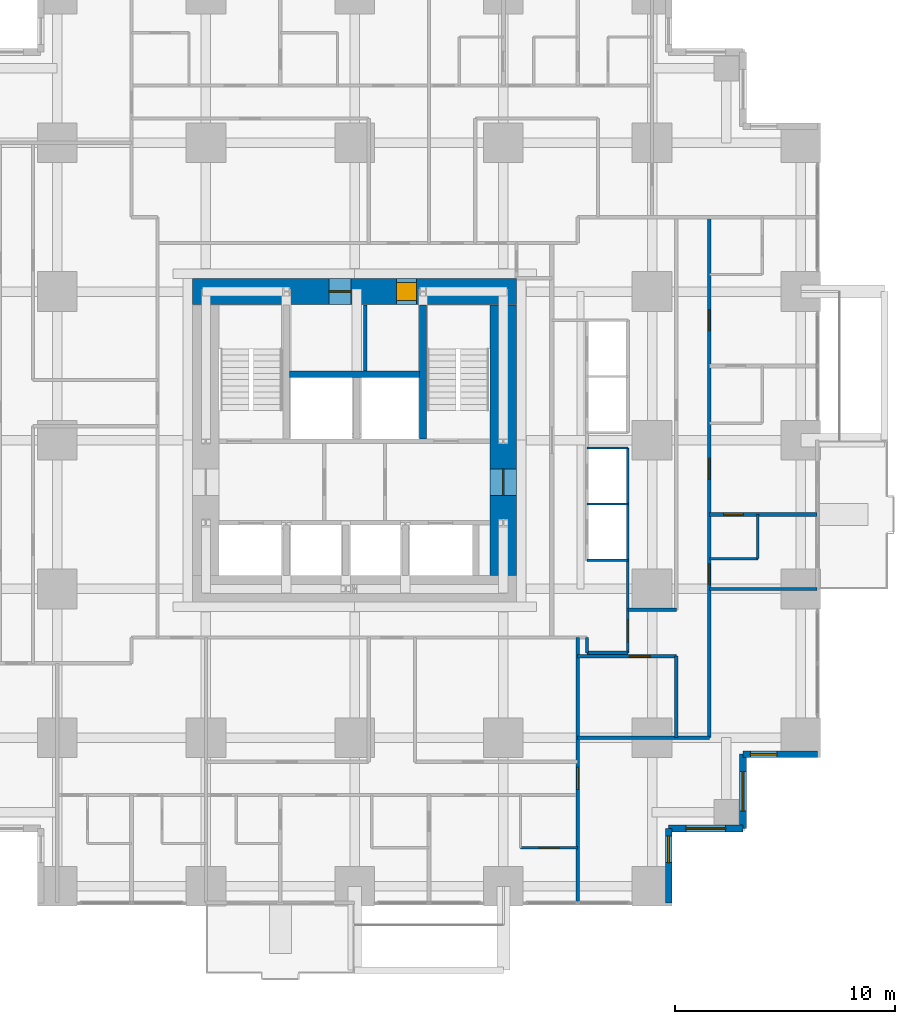
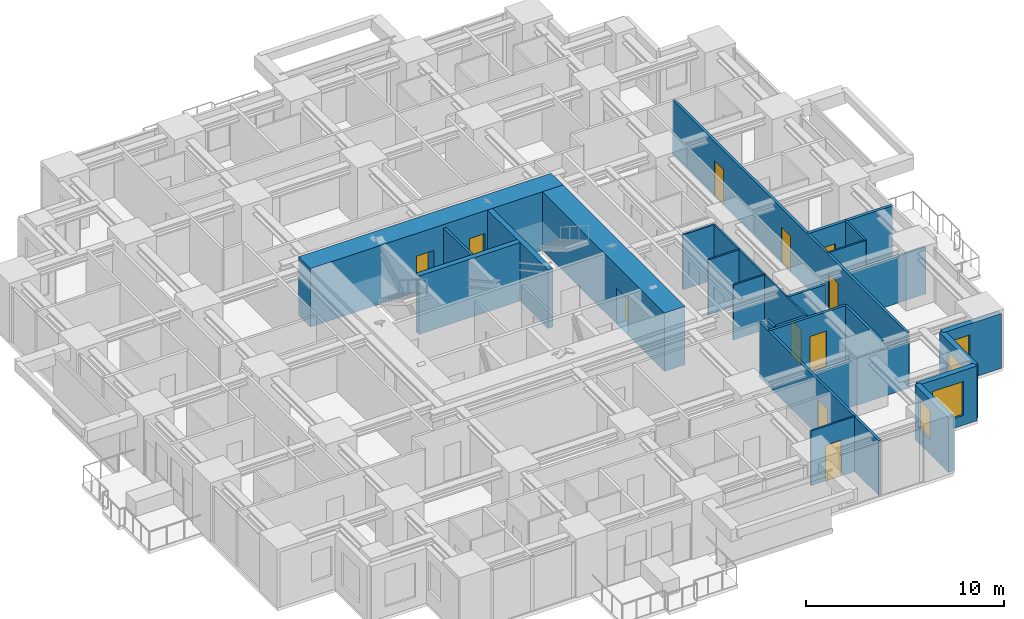
# One storey, part 10 of 14: 26 walls, 11 doors, 4 windows, 15 openings.
"""IFC4 building model written with IfcOpenShell, lengths in metres."""

from ifc_helpers import new_model, si_unit, direction, frame, frame_2d, origin, place, context, subcontext, project, spatial, rectangle, extrude, material, layer, layer_set, type_object, element, fill, save


model = new_model("IFC4")

# Units and contexts
model_context = context("Model", 3, precision=1e-05, world=origin(), true_north=direction((0.0, 1.0)))
body_context = subcontext(model_context, "Body", "Model", "MODEL_VIEW")
ifc_project = project(units=[si_unit("LENGTHUNIT", "METRE"), si_unit("AREAUNIT", "SQUARE_METRE"), si_unit("VOLUMEUNIT", "CUBIC_METRE"), si_unit("PLANEANGLEUNIT", "RADIAN"), si_unit("MASSUNIT", "GRAM", prefix="KILO")], contexts=[model_context])

# Site, building, storey
site_placement = place(None, origin())
site = spatial("IfcSite", under=ifc_project, at=site_placement, CompositionType="ELEMENT")
building_placement = place(site_placement, origin())
building = spatial("IfcBuilding", under=site, at=building_placement, Name="Nyansa Garden Tower", CompositionType="ELEMENT")
storey_placement = place(building_placement, frame((0.0, 0.0, 54.0)))
storey = spatial("IfcBuildingStorey", under=building, at=storey_placement, Name="L14", CompositionType="ELEMENT", Elevation=54.0)

# Wall, opening, door
ifc_material_1 = material(Name="Dense blockwork, plastered both sides, 55 dB", Category="masonry")
ifc_layer_1 = layer(ifc_material_1, 0.175048828125)
ifc_layer_set_1 = layer_set([ifc_layer_1], Name="Acoustic party wall PW175")
wall_type_1 = type_object("IfcWallType", Name="Acoustic party wall PW175", PredefinedType="PARTITIONING", material=ifc_layer_set_1)
wall_1_placement = place(storey_placement, frame((36.35009765625, 16.875, 0.0), z_axis=(0.0, 0.0, 1.0), x_axis=(1.0, 0.0, 0.0)))
wall_1 = element("IfcWall", 1, at=wall_1_placement, inside=storey, type_object=wall_type_1, Name="Party wall", PredefinedType="PARTITIONING", context=body_context, shape_type="SweptSolid", body=[
    extrude(rectangle(XDim=4.8837890625, YDim=0.175048828125, at=frame_2d((2.44189453125, 0.0))), origin(), (0.0, 0.0, 1.0), 3.375),
])
opening_1_placement = place(wall_1_placement, frame((0.64990234375, 0.0, 0.0)))
opening_1 = element("IfcOpeningElement", 2, at=opening_1_placement, cuts=wall_1, Name="Opening D02", PredefinedType="OPENING", context=body_context, shape_type="SweptSolid", body=[
    extrude(rectangle(XDim=0.89990234375, YDim=2.199951171875, at=frame_2d((0.449951171875, 1.10009765625))), frame((0.0, 0.097412109375, 0.0), z_axis=(0.0, -1.0, 0.0), x_axis=(1.0, 0.0, 0.0)), (0.0, 0.0, 1.0), 0.195068359375),
])
ifc_material_2 = material(Name="Timber flush door", Category="wood")
door_type_1 = type_object("IfcDoorType", Name="En-suite door D02 900x2200", OperationType="SINGLE_SWING_RIGHT", PredefinedType="DOOR", material=ifc_material_2)
door_1_placement = place(opening_1_placement, origin())
door_1 = element("IfcDoor", 3, at=door_1_placement, inside=storey, type_object=door_type_1, Name="Door L14-038", OperationType="SINGLE_SWING_RIGHT", OverallHeight=2.199951171875, OverallWidth=0.89990234375, PredefinedType="DOOR", context=body_context, shape_type="SweptSolid", body=[
    extrude(rectangle(XDim=0.89990234375, YDim=2.199951171875, at=frame_2d((0.449951171875, 1.10009765625))), frame((0.0, 0.02490234375, 0.0), z_axis=(0.0, -1.0, 0.0), x_axis=(1.0, 0.0, 0.0)), (0.0, 0.0, 1.0), 0.050048828125),
])
fill(opening_1, door_1)

# Walls
ifc_material_3 = material(Name="Concrete C70/85", Category="concrete")
ifc_layer_2 = layer(ifc_material_3, 0.300048828125)
ifc_layer_set_2 = layer_set([ifc_layer_2], Name="Core inner wall CI300")
wall_type_2 = type_object("IfcWallType", Name="Core inner wall CI300", PredefinedType="SHEAR", material=ifc_layer_set_2)
wall_2_placement = place(storey_placement, frame((23.35009765625, 20.300048828125, 0.0), z_axis=(0.0, 0.0, 1.0), x_axis=(0.0, 1.0, 0.0)))
element("IfcWall", 4, at=wall_2_placement, inside=storey, type_object=wall_type_2, Name="Core inner wall L14", PredefinedType="SHEAR", context=body_context, shape_type="SweptSolid", body=[
    extrude(rectangle(XDim=6.099853515625, YDim=0.300048828125, at=frame_2d((3.0498046875, 0.0))), origin(), (0.0, 0.0, 1.0), 3.60009765625),
])
wall_3_placement = place(storey_placement, frame((17.300048828125, 23.25, 0.0), z_axis=(0.0, 0.0, 1.0), x_axis=(1.0, 0.0, 0.0)))
element("IfcWall", 5, at=wall_3_placement, inside=storey, type_object=wall_type_2, Name="Core inner wall L14", PredefinedType="SHEAR", context=body_context, shape_type="SweptSolid", body=[
    extrude(rectangle(XDim=5.89990234375, YDim=0.300048828125, at=frame_2d((2.949951171875, 0.0))), origin(), (0.0, 0.0, 1.0), 3.60009765625),
])

# Wall, opening, door
ifc_material_4 = material(Name="Concrete C80/95", Category="concrete")
ifc_layer_3 = layer(ifc_material_4, 1.199951171875)
ifc_layer_set_3 = layer_set([ifc_layer_3], Name="Core wall CW1200")
wall_type_3 = type_object("IfcWallType", Name="Core wall CW1200", PredefinedType="SHEAR", material=ifc_layer_set_3)
wall_4_placement = place(storey_placement, frame((27.0, 14.10009765625, 0.0), z_axis=(0.0, 0.0, 1.0), x_axis=(0.0, 1.0, 0.0)))
wall_4 = element("IfcWall", 6, at=wall_4_placement, inside=storey, type_object=wall_type_3, Name="Core wall E L14", PredefinedType="SHEAR", context=body_context, shape_type="SweptSolid", body=[
    extrude(rectangle(XDim=12.2998046875, YDim=1.199951171875, at=frame_2d((6.14990234375, 0.0))), origin(), (0.0, 0.0, 1.0), 3.60009765625),
])
opening_2_placement = place(wall_4_placement, frame((3.64990234375, 0.0, 0.0)))
opening_2 = element("IfcOpeningElement", 7, at=opening_2_placement, cuts=wall_4, Name="Opening D06", PredefinedType="OPENING", context=body_context, shape_type="SweptSolid", body=[
    extrude(rectangle(XDim=1.199951171875, YDim=2.199951171875, at=frame_2d((0.60009765625, 1.10009765625))), frame((0.0, 0.60986328125, 0.0), z_axis=(0.0, -1.0, 0.0), x_axis=(1.0, 0.0, 0.0)), (0.0, 0.0, 1.0), 1.219970703125),
])
ifc_material_5 = material(Name="Steel door, 120 minute fire resisting", Category="steel")
door_type_2 = type_object("IfcDoorType", Name="Lobby door D06 1200x2200", OperationType="DOUBLE_DOOR_SINGLE_SWING", PredefinedType="DOOR", material=ifc_material_5)
door_2_placement = place(opening_2_placement, origin())
door_2 = element("IfcDoor", 8, at=door_2_placement, inside=storey, type_object=door_type_2, Name="Lift lobby door east", OperationType="DOUBLE_DOOR_SINGLE_SWING", OverallHeight=2.199951171875, OverallWidth=1.199951171875, PredefinedType="DOOR", context=body_context, shape_type="SweptSolid", body=[
    extrude(rectangle(XDim=1.199951171875, YDim=2.199951171875, at=frame_2d((0.60009765625, 1.10009765625))), frame((0.0, 0.02490234375, 0.0), z_axis=(0.0, -1.0, 0.0), x_axis=(1.0, 0.0, 0.0)), (0.0, 0.0, 1.0), 0.050048828125),
])
fill(opening_2, door_2)

# Wall, openings, doors
wall_5_placement = place(storey_placement, frame((27.60009765625, 27.0, 0.0), z_axis=(0.0, 0.0, 1.0), x_axis=(-1.0, 0.0, 0.0)))
wall_5 = element("IfcWall", 9, at=wall_5_placement, inside=storey, type_object=wall_type_3, Name="Core wall N L14", PredefinedType="SHEAR", context=body_context, shape_type="SweptSolid", body=[
    extrude(rectangle(XDim=14.7001953125, YDim=1.199951171875, at=frame_2d((7.35009765625, 0.0))), origin(), (0.0, 0.0, 1.0), 3.60009765625),
])
opening_3_placement = place(wall_5_placement, frame((4.550048828125, 0.0, 0.0)))
opening_3 = element("IfcOpeningElement", 10, at=opening_3_placement, cuts=wall_5, Name="Opening D15", PredefinedType="OPENING", context=body_context, shape_type="SweptSolid", body=[
    extrude(rectangle(XDim=0.89990234375, YDim=2.199951171875, at=frame_2d((0.449951171875, 1.10009765625))), frame((0.0, 0.60986328125, 0.0), z_axis=(0.0, -1.0, 0.0), x_axis=(1.0, 0.0, 0.0)), (0.0, 0.0, 1.0), 1.219970703125),
])
opening_4_placement = place(wall_5_placement, frame((7.52490234375, 0.0, 0.0)))
opening_4 = element("IfcOpeningElement", 11, at=opening_4_placement, cuts=wall_5, Name="Opening D07", PredefinedType="OPENING", context=body_context, shape_type="SweptSolid", body=[
    extrude(rectangle(XDim=1.0, YDim=2.199951171875, at=frame_2d((0.5, 1.10009765625))), frame((0.0, 0.60986328125, 0.0), z_axis=(0.0, -1.0, 0.0), x_axis=(1.0, 0.0, 0.0)), (0.0, 0.0, 1.0), 1.219970703125),
])
ifc_material_6 = material(Name="Timber flush door, 60 minute fire resisting, self-closing", Category="wood")
door_type_3 = type_object("IfcDoorType", Name="Core room door D15 900x2200", OperationType="SINGLE_SWING_LEFT", PredefinedType="DOOR", material=ifc_material_6)
door_3_placement = place(opening_3_placement, origin())
door_3 = element("IfcDoor", 12, at=door_3_placement, inside=storey, type_object=door_type_3, Name="Core room door", OperationType="SINGLE_SWING_LEFT", OverallHeight=2.199951171875, OverallWidth=0.89990234375, PredefinedType="DOOR", context=body_context, shape_type="SweptSolid", body=[
    extrude(rectangle(XDim=0.89990234375, YDim=2.199951171875, at=frame_2d((0.449951171875, 1.10009765625))), frame((0.0, 0.39990234375, 0.0), z_axis=(0.0, -1.0, 0.0), x_axis=(1.0, 0.0, 0.0)), (0.0, 0.0, 1.0), 0.800048828125),
])
fill(opening_3, door_3)
ifc_material_7 = material(Name="Steel door, 120 minute fire resisting", Category="steel")
door_type_4 = type_object("IfcDoorType", Name="Riser door D07 1000x2200", OperationType="SINGLE_SWING_LEFT", PredefinedType="DOOR", material=ifc_material_7)
door_4_placement = place(opening_4_placement, origin())
door_4 = element("IfcDoor", 13, at=door_4_placement, inside=storey, type_object=door_type_4, Name="Riser and refuse room door", OperationType="SINGLE_SWING_LEFT", OverallHeight=2.199951171875, OverallWidth=1.0, PredefinedType="DOOR", context=body_context, shape_type="SweptSolid", body=[
    extrude(rectangle(XDim=1.0, YDim=2.199951171875, at=frame_2d((0.5, 1.10009765625))), frame((0.0, 0.02490234375, 0.0), z_axis=(0.0, -1.0, 0.0), x_axis=(1.0, 0.0, 0.0)), (0.0, 0.0, 1.0), 0.050048828125),
])
fill(opening_4, door_4)

# Walls
ifc_material_8 = material(Name="Steel-stud shaft wall, two layers fire-rated board, EI 120", Category="steel")
ifc_layer_4 = layer(ifc_material_8, 0.10009765625)
ifc_layer_set_4 = layer_set([ifc_layer_4], Name="Lift shaft wall SW100")
wall_type_4 = type_object("IfcWallType", Name="Lift shaft wall SW100", PredefinedType="SHEAR", material=ifc_layer_set_4)
for number, where, z_axis, x_axis, name in (
    (14, (30.800048828125, 14.800048828125, 0.0), (0.0, 0.0, 1.0), (1.0, 0.0, 0.0), "Lift shaft wall"),
    (15, (30.800048828125, 17.35009765625, 0.0), (0.0, 0.0, 1.0), (1.0, 0.0, 0.0), "Lift shaft wall"),
    (16, (30.800048828125, 19.89990234375, 0.0), (0.0, 0.0, 1.0), (1.0, 0.0, 0.0), "Lift shaft wall"),
):
    element("IfcWall", number, at=place(storey_placement, frame(where, z_axis=z_axis, x_axis=x_axis)), inside=storey, type_object=wall_type_4, Name=name, PredefinedType="SHEAR", context=body_context, shape_type="SweptSolid", body=[
        extrude(rectangle(XDim=1.849853515625, YDim=0.10009765625, at=frame_2d((0.9248046875, 0.0))), origin(), (0.0, 0.0, 1.0), 3.375),
    ])

# Wall, opening, door
wall_6_placement = place(storey_placement, frame((32.64990234375, 10.60009765625, 0.0), z_axis=(0.0, 0.0, 1.0), x_axis=(0.0, 1.0, 0.0)))
wall_6 = element("IfcWall", 17, at=wall_6_placement, inside=storey, type_object=wall_type_4, Name="Lift shaft wall", PredefinedType="SHEAR", context=body_context, shape_type="SweptSolid", body=[
    extrude(rectangle(XDim=9.2998046875, YDim=0.10009765625, at=frame_2d((4.64990234375, 0.0))), origin(), (0.0, 0.0, 1.0), 3.375),
])
opening_5_placement = place(wall_6_placement, frame((0.5, 0.0, 0.0)))
opening_5 = element("IfcOpeningElement", 18, at=opening_5_placement, cuts=wall_6, Name="Opening D03", PredefinedType="OPENING", context=body_context, shape_type="SweptSolid", body=[
    extrude(rectangle(XDim=1.0, YDim=2.199951171875, at=frame_2d((0.5, 1.10009765625))), frame((0.0, 0.06005859375, 0.0), z_axis=(0.0, -1.0, 0.0), x_axis=(1.0, 0.0, 0.0)), (0.0, 0.0, 1.0), 0.1201171875),
])
ifc_material_9 = material(Name="Timber flush door, 60 minute fire resisting", Category="wood")
door_type_5 = type_object("IfcDoorType", Name="Cluster entrance door D03 1000x2200", OperationType="SINGLE_SWING_LEFT", PredefinedType="DOOR", material=ifc_material_9)
door_5_placement = place(opening_5_placement, origin())
door_5 = element("IfcDoor", 19, at=door_5_placement, inside=storey, type_object=door_type_5, Name="Door L14-039", OperationType="SINGLE_SWING_LEFT", OverallHeight=2.199951171875, OverallWidth=1.0, PredefinedType="DOOR", context=body_context, shape_type="SweptSolid", body=[
    extrude(rectangle(XDim=1.0, YDim=2.199951171875, at=frame_2d((0.5, 1.10009765625))), frame((0.0, 0.02490234375, 0.0), z_axis=(0.0, -1.0, 0.0), x_axis=(1.0, 0.0, 0.0)), (0.0, 0.0, 1.0), 0.050048828125),
])
fill(opening_5, door_5)

# Wall
ifc_material_10 = material(Name="Blockwork, plastered both sides", Category="masonry")
ifc_layer_5 = layer(ifc_material_10, 0.14990234375)
ifc_layer_set_5 = layer_set([ifc_layer_5], Name="Partition PW150")
wall_type_5 = type_object("IfcWallType", Name="Partition PW150", PredefinedType="PARTITIONING", material=ifc_layer_set_5)
wall_7_placement = place(storey_placement, frame((20.72509765625, 23.39990234375, 0.0), z_axis=(0.0, 0.0, 1.0), x_axis=(0.0, 1.0, 0.0)))
element("IfcWall", 20, at=wall_7_placement, inside=storey, type_object=wall_type_5, Name="Partition", PredefinedType="PARTITIONING", context=body_context, shape_type="SweptSolid", body=[
    extrude(rectangle(XDim=3.0, YDim=0.14990234375, at=frame_2d((1.5, 0.0))), origin(), (0.0, 0.0, 1.0), 3.375),
])

# Wall, opening, door
wall_8_placement = place(storey_placement, frame((30.375, -0.73388671875, 0.0), z_axis=(0.0, 0.0, 1.0), x_axis=(0.0, 1.0, 0.0)))
wall_8 = element("IfcWall", 21, at=wall_8_placement, inside=storey, type_object=wall_type_5, Name="Partition", PredefinedType="PARTITIONING", context=body_context, shape_type="SweptSolid", body=[
    extrude(rectangle(XDim=12.033935546875, YDim=0.14990234375, at=frame_2d((6.01708984375, 0.0))), origin(), (0.0, 0.0, 1.0), 3.375),
])
opening_6_placement = place(wall_8_placement, frame((5.134033203125, 0.0, 0.0)))
opening_6 = element("IfcOpeningElement", 22, at=opening_6_placement, cuts=wall_8, Name="Opening D03", PredefinedType="OPENING", context=body_context, shape_type="SweptSolid", body=[
    extrude(rectangle(XDim=1.0, YDim=2.199951171875, at=frame_2d((0.5, 1.10009765625))), frame((0.0, 0.0849609375, 0.0), z_axis=(0.0, -1.0, 0.0), x_axis=(1.0, 0.0, 0.0)), (0.0, 0.0, 1.0), 0.169921875),
])
door_6_placement = place(opening_6_placement, origin())
door_6 = element("IfcDoor", 23, at=door_6_placement, inside=storey, type_object=door_type_5, Name="Door L14-032", OperationType="SINGLE_SWING_LEFT", OverallHeight=2.199951171875, OverallWidth=1.0, PredefinedType="DOOR", context=body_context, shape_type="SweptSolid", body=[
    extrude(rectangle(XDim=1.0, YDim=2.199951171875, at=frame_2d((0.5, 1.10009765625))), frame((0.0, 0.02490234375, 0.0), z_axis=(0.0, -1.0, 0.0), x_axis=(1.0, 0.0, 0.0)), (0.0, 0.0, 1.0), 0.050048828125),
])
fill(opening_6, door_6)

# Wall
wall_9_placement = place(storey_placement, frame((30.375, 6.75, 0.0), z_axis=(0.0, 0.0, 1.0), x_axis=(1.0, 0.0, 0.0)))
element("IfcWall", 24, at=wall_9_placement, inside=storey, type_object=wall_type_5, Name="Partition", PredefinedType="PARTITIONING", context=body_context, shape_type="SweptSolid", body=[
    extrude(rectangle(XDim=5.97509765625, YDim=0.14990234375, at=frame_2d((2.987548828125, 0.0))), origin(), (0.0, 0.0, 1.0), 2.876953125),
])

# Wall, opening, door
wall_10_placement = place(storey_placement, frame((30.375, 10.449951171875, 0.0), z_axis=(0.0, 0.0, 1.0), x_axis=(1.0, 0.0, 0.0)))
wall_10 = element("IfcWall", 25, at=wall_10_placement, inside=storey, type_object=wall_type_5, Name="Partition", PredefinedType="PARTITIONING", context=body_context, shape_type="SweptSolid", body=[
    extrude(rectangle(XDim=4.47509765625, YDim=0.14990234375, at=frame_2d((2.237548828125, 0.0))), origin(), (0.0, 0.0, 1.0), 3.375),
])
opening_7_placement = place(wall_10_placement, frame((2.35009765625, 0.0, 0.0)))
opening_7 = element("IfcOpeningElement", 26, at=opening_7_placement, cuts=wall_10, Name="Opening D01", PredefinedType="OPENING", context=body_context, shape_type="SweptSolid", body=[
    extrude(rectangle(XDim=0.949951171875, YDim=2.199951171875, at=frame_2d((0.47509765625, 1.10009765625))), frame((0.0, 0.0849609375, 0.0), z_axis=(0.0, -1.0, 0.0), x_axis=(1.0, 0.0, 0.0)), (0.0, 0.0, 1.0), 0.169921875),
])
ifc_material_11 = material(Name="Timber flush door, 30 minute fire resisting", Category="wood")
door_type_6 = type_object("IfcDoorType", Name="Bedroom door D01 950x2200", OperationType="SINGLE_SWING_LEFT", PredefinedType="DOOR", material=ifc_material_11)
door_7_placement = place(opening_7_placement, origin())
door_7 = element("IfcDoor", 27, at=door_7_placement, inside=storey, type_object=door_type_6, Name="Door L14-041", OperationType="SINGLE_SWING_LEFT", OverallHeight=2.199951171875, OverallWidth=0.949951171875, PredefinedType="DOOR", context=body_context, shape_type="SweptSolid", body=[
    extrude(rectangle(XDim=0.949951171875, YDim=2.199951171875, at=frame_2d((0.47509765625, 1.10009765625))), frame((0.0, 0.02490234375, 0.0), z_axis=(0.0, -1.0, 0.0), x_axis=(1.0, 0.0, 0.0)), (0.0, 0.0, 1.0), 0.050048828125),
])
fill(opening_7, door_7)

# Walls
wall_11_placement = place(storey_placement, frame((30.800048828125, 10.60009765625, 0.0), z_axis=(0.0, 0.0, 1.0), x_axis=(0.0, 1.0, 0.0)))
element("IfcWall", 28, at=wall_11_placement, inside=storey, type_object=wall_type_5, Name="Partition", PredefinedType="PARTITIONING", context=body_context, shape_type="SweptSolid", body=[
    extrude(rectangle(XDim=0.699951171875, YDim=0.14990234375, at=frame_2d((0.35009765625, 0.0))), origin(), (0.0, 0.0, 1.0), 3.375),
])
wall_12_placement = place(storey_placement, frame((30.800048828125, 10.60009765625, 0.0), z_axis=(0.0, 0.0, 1.0), x_axis=(1.0, 0.0, 0.0)))
element("IfcWall", 29, at=wall_12_placement, inside=storey, type_object=wall_type_5, Name="Partition", PredefinedType="PARTITIONING", context=body_context, shape_type="SweptSolid", body=[
    extrude(rectangle(XDim=1.849853515625, YDim=0.14990234375, at=frame_2d((0.9248046875, 0.0))), origin(), (0.0, 0.0, 1.0), 3.375),
])
wall_13_placement = place(storey_placement, frame((32.64990234375, 12.550048828125, 0.0), z_axis=(0.0, 0.0, 1.0), x_axis=(1.0, 0.0, 0.0)))
element("IfcWall", 30, at=wall_13_placement, inside=storey, type_object=wall_type_5, Name="Partition", PredefinedType="PARTITIONING", context=body_context, shape_type="SweptSolid", body=[
    extrude(rectangle(XDim=2.2001953125, YDim=0.14990234375, at=frame_2d((1.10009765625, 0.0))), origin(), (0.0, 0.0, 1.0), 3.375),
])
wall_14_placement = place(storey_placement, frame((34.85009765625, 6.75, 0.0), z_axis=(0.0, 0.0, 1.0), x_axis=(0.0, 1.0, 0.0)))
element("IfcWall", 31, at=wall_14_placement, inside=storey, type_object=wall_type_5, Name="Partition", PredefinedType="PARTITIONING", context=body_context, shape_type="SweptSolid", body=[
    extrude(rectangle(XDim=3.699951171875, YDim=0.14990234375, at=frame_2d((1.85009765625, 0.0))), origin(), (0.0, 0.0, 1.0), 3.375),
])

# Wall, openings, doors
wall_15_placement = place(storey_placement, frame((36.35009765625, 6.75, 0.0), z_axis=(0.0, 0.0, 1.0), x_axis=(0.0, 1.0, 0.0)))
wall_15 = element("IfcWall", 32, at=wall_15_placement, inside=storey, type_object=wall_type_5, Name="Partition", PredefinedType="PARTITIONING", context=body_context, shape_type="SweptSolid", body=[
    extrude(rectangle(XDim=23.625, YDim=0.14990234375, at=frame_2d((11.8125, 0.0))), origin(), (0.0, 0.0, 1.0), 3.375),
])
opening_8_placement = place(wall_15_placement, frame((18.47509765625, 0.0, 0.0)))
opening_8 = element("IfcOpeningElement", 33, at=opening_8_placement, cuts=wall_15, Name="Opening D14", PredefinedType="OPENING", context=body_context, shape_type="SweptSolid", body=[
    extrude(rectangle(XDim=0.949951171875, YDim=2.199951171875, at=frame_2d((0.47509765625, 1.10009765625))), frame((0.0, 0.0849609375, 0.0), z_axis=(0.0, -1.0, 0.0), x_axis=(1.0, 0.0, 0.0)), (0.0, 0.0, 1.0), 0.169921875),
])
opening_9_placement = place(wall_15_placement, frame((11.72509765625, 0.0, 0.0)))
opening_9 = element("IfcOpeningElement", 34, at=opening_9_placement, cuts=wall_15, Name="Opening D14", PredefinedType="OPENING", context=body_context, shape_type="SweptSolid", body=[
    extrude(rectangle(XDim=0.949951171875, YDim=2.199951171875, at=frame_2d((0.47509765625, 1.10009765625))), frame((0.0, 0.0849609375, 0.0), z_axis=(0.0, -1.0, 0.0), x_axis=(1.0, 0.0, 0.0)), (0.0, 0.0, 1.0), 0.169921875),
])
opening_10_placement = place(wall_15_placement, frame((6.949951171875, 0.0, 0.0)))
opening_10 = element("IfcOpeningElement", 35, at=opening_10_placement, cuts=wall_15, Name="Opening D14", PredefinedType="OPENING", context=body_context, shape_type="SweptSolid", body=[
    extrude(rectangle(XDim=0.949951171875, YDim=2.199951171875, at=frame_2d((0.47509765625, 1.10009765625))), frame((0.0, 0.0849609375, 0.0), z_axis=(0.0, -1.0, 0.0), x_axis=(1.0, 0.0, 0.0)), (0.0, 0.0, 1.0), 0.169921875),
])
ifc_material_12 = material(Name="Timber flush door, 60 minute fire resisting, self-closing", Category="wood")
door_type_7 = type_object("IfcDoorType", Name="Studio entrance door D14 950x2200", OperationType="SINGLE_SWING_LEFT", PredefinedType="DOOR", material=ifc_material_12)
door_8_placement = place(opening_8_placement, origin())
door_8 = element("IfcDoor", 36, at=door_8_placement, inside=storey, type_object=door_type_7, Name="Door L14-033", OperationType="SINGLE_SWING_LEFT", OverallHeight=2.199951171875, OverallWidth=0.949951171875, PredefinedType="DOOR", context=body_context, shape_type="SweptSolid", body=[
    extrude(rectangle(XDim=0.949951171875, YDim=2.199951171875, at=frame_2d((0.47509765625, 1.10009765625))), frame((0.0, 0.02490234375, 0.0), z_axis=(0.0, -1.0, 0.0), x_axis=(1.0, 0.0, 0.0)), (0.0, 0.0, 1.0), 0.050048828125),
])
fill(opening_8, door_8)
door_9_placement = place(opening_9_placement, origin())
door_9 = element("IfcDoor", 37, at=door_9_placement, inside=storey, type_object=door_type_7, Name="Door L14-035", OperationType="SINGLE_SWING_LEFT", OverallHeight=2.199951171875, OverallWidth=0.949951171875, PredefinedType="DOOR", context=body_context, shape_type="SweptSolid", body=[
    extrude(rectangle(XDim=0.949951171875, YDim=2.199951171875, at=frame_2d((0.47509765625, 1.10009765625))), frame((0.0, 0.02490234375, 0.0), z_axis=(0.0, -1.0, 0.0), x_axis=(1.0, 0.0, 0.0)), (0.0, 0.0, 1.0), 0.050048828125),
])
fill(opening_9, door_9)
door_10_placement = place(opening_10_placement, origin())
door_10 = element("IfcDoor", 38, at=door_10_placement, inside=storey, type_object=door_type_7, Name="Door L14-037", OperationType="SINGLE_SWING_LEFT", OverallHeight=2.199951171875, OverallWidth=0.949951171875, PredefinedType="DOOR", context=body_context, shape_type="SweptSolid", body=[
    extrude(rectangle(XDim=0.949951171875, YDim=2.199951171875, at=frame_2d((0.47509765625, 1.10009765625))), frame((0.0, 0.02490234375, 0.0), z_axis=(0.0, -1.0, 0.0), x_axis=(1.0, 0.0, 0.0)), (0.0, 0.0, 1.0), 0.050048828125),
])
fill(opening_10, door_10)

# Wall
wall_16_placement = place(storey_placement, frame((36.35009765625, 13.5, 0.0), z_axis=(0.0, 0.0, 1.0), x_axis=(1.0, 0.0, 0.0)))
element("IfcWall", 39, at=wall_16_placement, inside=storey, type_object=wall_type_5, Name="Partition", PredefinedType="PARTITIONING", context=body_context, shape_type="SweptSolid", body=[
    extrude(rectangle(XDim=4.8837890625, YDim=0.14990234375, at=frame_2d((2.44189453125, 0.0))), origin(), (0.0, 0.0, 1.0), 2.876953125),
])

# Wall, opening, window
ifc_material_13 = material(Name="Turquoise glazed tile on concrete blockwork", Category="masonry")
ifc_layer_6 = layer(ifc_material_13, 0.300048828125)
ifc_layer_set_6 = layer_set([ifc_layer_6], Name="Tiled corner wall TW300")
wall_type_6 = type_object("IfcWallType", Name="Tiled corner wall TW300", PredefinedType="SOLIDWALL", material=ifc_layer_set_6)
wall_17_placement = place(storey_placement, frame((34.5, -0.75, 0.0), z_axis=(0.0, 0.0, 1.0), x_axis=(0.0, 1.0, 0.0)))
wall_17 = element("IfcWall", 40, at=wall_17_placement, inside=storey, type_object=wall_type_6, Name="Tiled corner wall L14", PredefinedType="SOLIDWALL", context=body_context, shape_type="SweptSolid", body=[
    extrude(rectangle(XDim=3.375, YDim=0.300048828125, at=frame_2d((1.6875, 0.0))), origin(), (0.0, 0.0, 1.0), 3.375),
])
opening_11_placement = place(wall_17_placement, frame((1.83251953125, 0.0, 0.89990234375)))
opening_11 = element("IfcOpeningElement", 41, at=opening_11_placement, cuts=wall_17, Name="Opening W4", PredefinedType="OPENING", context=body_context, shape_type="SweptSolid", body=[
    extrude(rectangle(XDim=1.199951171875, YDim=1.800048828125, at=frame_2d((0.60009765625, 0.89990234375))), frame((0.0, 0.159912109375, 0.0), z_axis=(0.0, -1.0, 0.0), x_axis=(1.0, 0.0, 0.0)), (0.0, 0.0, 1.0), 0.320068359375),
])
ifc_material_14 = material(Name="Black aluminium frame, dark tinted double glazing", Category="aluminium")
window_type_1 = type_object("IfcWindowType", Name="Window W4 1200x1800", PartitioningType="SINGLE_PANEL", PredefinedType="WINDOW", material=ifc_material_14)
window_1_placement = place(opening_11_placement, origin())
window_1 = element("IfcWindow", 42, at=window_1_placement, inside=storey, type_object=window_type_1, Name="Corner window L14", OverallHeight=1.800048828125, OverallWidth=1.199951171875, PartitioningType="SINGLE_PANEL", PredefinedType="WINDOW", context=body_context, shape_type="SweptSolid", body=[
    extrude(rectangle(XDim=1.199951171875, YDim=1.800048828125, at=frame_2d((0.60009765625, 0.89990234375))), frame((0.0, 0.030029296875, 0.0), z_axis=(0.0, -1.0, 0.0), x_axis=(1.0, 0.0, 0.0)), (0.0, 0.0, 1.0), 0.06005859375),
])
fill(opening_11, window_1)

wall_18_placement = place(storey_placement, frame((34.5, 2.625, 0.0), z_axis=(0.0, 0.0, 1.0), x_axis=(1.0, 0.0, 0.0)))
wall_18 = element("IfcWall", 43, at=wall_18_placement, inside=storey, type_object=wall_type_6, Name="Tiled corner wall L14", PredefinedType="SOLIDWALL", context=body_context, shape_type="SweptSolid", body=[
    extrude(rectangle(XDim=3.375, YDim=0.300048828125, at=frame_2d((1.6875, 0.0))), origin(), (0.0, 0.0, 1.0), 3.375),
])
opening_12_placement = place(wall_18_placement, frame((0.78759765625, 0.0, 0.60009765625)))
opening_12 = element("IfcOpeningElement", 44, at=opening_12_placement, cuts=wall_18, Name="Opening W2", PredefinedType="OPENING", context=body_context, shape_type="SweptSolid", body=[
    extrude(rectangle(XDim=1.800048828125, YDim=2.10009765625, at=frame_2d((0.89990234375, 1.050048828125))), frame((0.0, 0.159912109375, 0.0), z_axis=(0.0, -1.0, 0.0), x_axis=(1.0, 0.0, 0.0)), (0.0, 0.0, 1.0), 0.320068359375),
])
ifc_material_15 = material(Name="Black aluminium frame, dark tinted double glazing", Category="aluminium")
window_type_2 = type_object("IfcWindowType", Name="Window W2 1800x2100", PartitioningType="SINGLE_PANEL", PredefinedType="WINDOW", material=ifc_material_15)
window_2_placement = place(opening_12_placement, origin())
window_2 = element("IfcWindow", 45, at=window_2_placement, inside=storey, type_object=window_type_2, Name="Corner window L14", OverallHeight=2.10009765625, OverallWidth=1.800048828125, PartitioningType="SINGLE_PANEL", PredefinedType="WINDOW", context=body_context, shape_type="SweptSolid", body=[
    extrude(rectangle(XDim=1.800048828125, YDim=2.10009765625, at=frame_2d((0.89990234375, 1.050048828125))), frame((0.0, 0.030029296875, 0.0), z_axis=(0.0, -1.0, 0.0), x_axis=(1.0, 0.0, 0.0)), (0.0, 0.0, 1.0), 0.06005859375),
])
fill(opening_12, window_2)

wall_19_placement = place(storey_placement, frame((37.875, 2.625, 0.0), z_axis=(0.0, 0.0, 1.0), x_axis=(0.0, 1.0, 0.0)))
wall_19 = element("IfcWall", 46, at=wall_19_placement, inside=storey, type_object=wall_type_6, Name="Tiled corner wall L14", PredefinedType="SOLIDWALL", context=body_context, shape_type="SweptSolid", body=[
    extrude(rectangle(XDim=3.375, YDim=0.300048828125, at=frame_2d((1.6875, 0.0))), origin(), (0.0, 0.0, 1.0), 3.375),
])
opening_13_placement = place(wall_19_placement, frame((0.78759765625, 0.0, 0.60009765625)))
opening_13 = element("IfcOpeningElement", 47, at=opening_13_placement, cuts=wall_19, Name="Opening W2", PredefinedType="OPENING", context=body_context, shape_type="SweptSolid", body=[
    extrude(rectangle(XDim=1.800048828125, YDim=2.10009765625, at=frame_2d((0.89990234375, 1.050048828125))), frame((0.0, 0.159912109375, 0.0), z_axis=(0.0, -1.0, 0.0), x_axis=(1.0, 0.0, 0.0)), (0.0, 0.0, 1.0), 0.320068359375),
])
window_3_placement = place(opening_13_placement, origin())
window_3 = element("IfcWindow", 48, at=window_3_placement, inside=storey, type_object=window_type_2, Name="Corner window L14", OverallHeight=2.10009765625, OverallWidth=1.800048828125, PartitioningType="SINGLE_PANEL", PredefinedType="WINDOW", context=body_context, shape_type="SweptSolid", body=[
    extrude(rectangle(XDim=1.800048828125, YDim=2.10009765625, at=frame_2d((0.89990234375, 1.050048828125))), frame((0.0, 0.030029296875, 0.0), z_axis=(0.0, -1.0, 0.0), x_axis=(1.0, 0.0, 0.0)), (0.0, 0.0, 1.0), 0.06005859375),
])
fill(opening_13, window_3)

wall_20_placement = place(storey_placement, frame((37.875, 6.0, 0.0), z_axis=(0.0, 0.0, 1.0), x_axis=(1.0, 0.0, 0.0)))
wall_20 = element("IfcWall", 49, at=wall_20_placement, inside=storey, type_object=wall_type_6, Name="Tiled corner wall L14", PredefinedType="SOLIDWALL", context=body_context, shape_type="SweptSolid", body=[
    extrude(rectangle(XDim=3.375, YDim=0.300048828125, at=frame_2d((1.6875, 0.0))), origin(), (0.0, 0.0, 1.0), 3.375),
])
opening_14_placement = place(wall_20_placement, frame((0.342529296875, 0.0, 0.89990234375)))
opening_14 = element("IfcOpeningElement", 50, at=opening_14_placement, cuts=wall_20, Name="Opening W4", PredefinedType="OPENING", context=body_context, shape_type="SweptSolid", body=[
    extrude(rectangle(XDim=1.199951171875, YDim=1.800048828125, at=frame_2d((0.60009765625, 0.89990234375))), frame((0.0, 0.159912109375, 0.0), z_axis=(0.0, -1.0, 0.0), x_axis=(1.0, 0.0, 0.0)), (0.0, 0.0, 1.0), 0.320068359375),
])
window_4_placement = place(opening_14_placement, origin())
window_4 = element("IfcWindow", 51, at=window_4_placement, inside=storey, type_object=window_type_1, Name="Corner window L14", OverallHeight=1.800048828125, OverallWidth=1.199951171875, PartitioningType="SINGLE_PANEL", PredefinedType="WINDOW", context=body_context, shape_type="SweptSolid", body=[
    extrude(rectangle(XDim=1.199951171875, YDim=1.800048828125, at=frame_2d((0.60009765625, 0.89990234375))), frame((0.0, 0.030029296875, 0.0), z_axis=(0.0, -1.0, 0.0), x_axis=(1.0, 0.0, 0.0)), (0.0, 0.0, 1.0), 0.06005859375),
])
fill(opening_14, window_4)

# Wall, opening, door
ifc_material_16 = material(Name="Moisture resistant board on steel studs, tiled", Category="steel")
ifc_layer_7 = layer(ifc_material_16, 0.10009765625)
ifc_layer_set_7 = layer_set([ifc_layer_7], Name="Wet wall PW100")
wall_type_7 = type_object("IfcWallType", Name="Wet wall PW100", PredefinedType="PARTITIONING", material=ifc_layer_set_7)
wall_21_placement = place(storey_placement, frame((27.77490234375, 1.75, 0.0), z_axis=(0.0, 0.0, 1.0), x_axis=(1.0, 0.0, 0.0)))
wall_21 = element("IfcWall", 52, at=wall_21_placement, inside=storey, type_object=wall_type_7, Name="Wet wall", PredefinedType="PARTITIONING", context=body_context, shape_type="SweptSolid", body=[
    extrude(rectangle(XDim=2.60009765625, YDim=0.10009765625, at=frame_2d((1.300048828125, 0.0))), origin(), (0.0, 0.0, 1.0), 3.375),
])
opening_15_placement = place(wall_21_placement, frame((0.85009765625, 0.0, 0.0)))
opening_15 = element("IfcOpeningElement", 53, at=opening_15_placement, cuts=wall_21, Name="Opening D02", PredefinedType="OPENING", context=body_context, shape_type="SweptSolid", body=[
    extrude(rectangle(XDim=0.89990234375, YDim=2.199951171875, at=frame_2d((0.449951171875, 1.10009765625))), frame((0.0, 0.06005859375, 0.0), z_axis=(0.0, -1.0, 0.0), x_axis=(1.0, 0.0, 0.0)), (0.0, 0.0, 1.0), 0.1201171875),
])
door_11_placement = place(opening_15_placement, origin())
door_11 = element("IfcDoor", 54, at=door_11_placement, inside=storey, type_object=door_type_1, Name="Door L14-024", OperationType="SINGLE_SWING_RIGHT", OverallHeight=2.199951171875, OverallWidth=0.89990234375, PredefinedType="DOOR", context=body_context, shape_type="SweptSolid", body=[
    extrude(rectangle(XDim=0.89990234375, YDim=2.199951171875, at=frame_2d((0.449951171875, 1.10009765625))), frame((0.0, 0.02490234375, 0.0), z_axis=(0.0, -1.0, 0.0), x_axis=(1.0, 0.0, 0.0)), (0.0, 0.0, 1.0), 0.050048828125),
])
fill(opening_15, door_11)

# Walls
wall_22_placement = place(storey_placement, frame((36.35009765625, 14.875, 0.0), z_axis=(0.0, 0.0, 1.0), x_axis=(1.0, 0.0, 0.0)))
element("IfcWall", 55, at=wall_22_placement, inside=storey, type_object=wall_type_7, Name="Wet wall", PredefinedType="PARTITIONING", context=body_context, shape_type="SweptSolid", body=[
    extrude(rectangle(XDim=2.199951171875, YDim=0.10009765625, at=frame_2d((1.10009765625, 0.0))), origin(), (0.0, 0.0, 1.0), 3.375),
])
wall_23_placement = place(storey_placement, frame((38.550048828125, 14.875, 0.0), z_axis=(0.0, 0.0, 1.0), x_axis=(0.0, 1.0, 0.0)))
element("IfcWall", 56, at=wall_23_placement, inside=storey, type_object=wall_type_7, Name="Wet wall", PredefinedType="PARTITIONING", context=body_context, shape_type="SweptSolid", body=[
    extrude(rectangle(XDim=2.0, YDim=0.10009765625, at=frame_2d((1.0, 0.0))), origin(), (0.0, 0.0, 1.0), 3.375),
])

save(model, "model.ifc")
